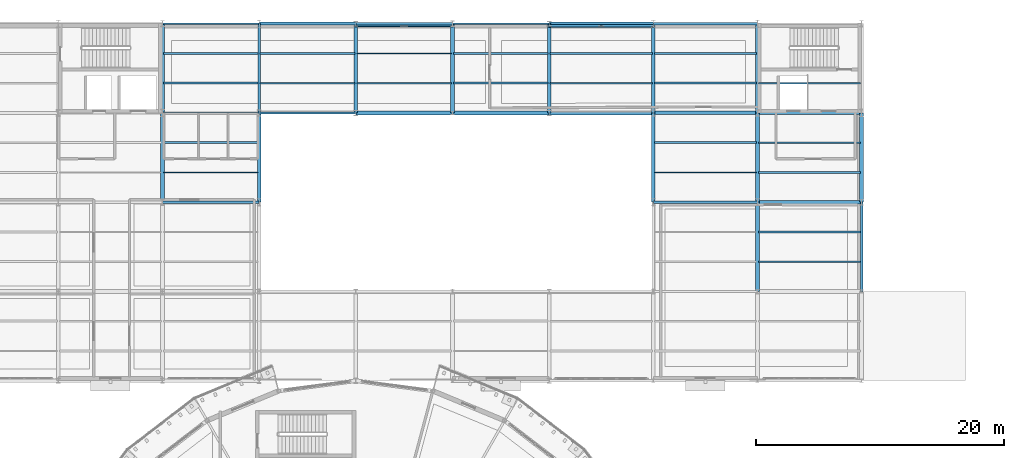
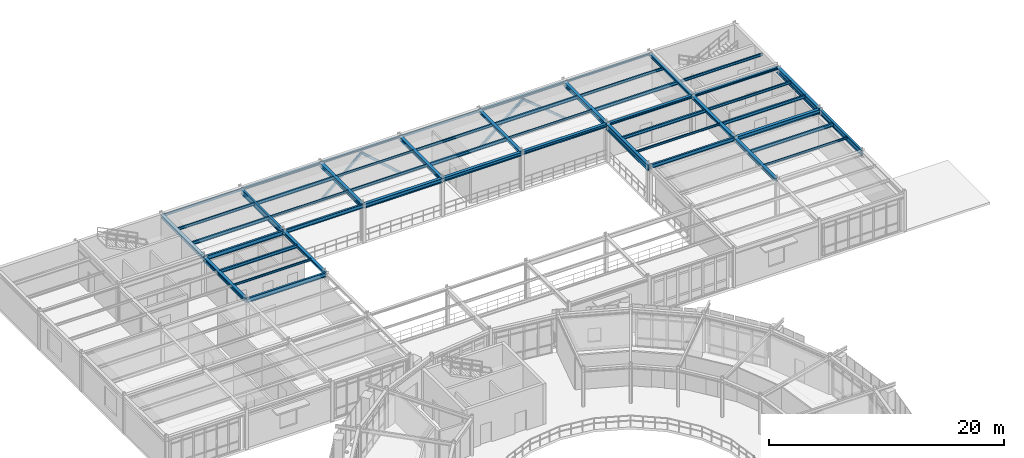
# One storey, part 55 of 90: 51 beams, 4 members.
"""IFC4 building model written with IfcOpenShell, lengths in metres."""

from ifc_helpers import new_model, si_unit, derived_unit, direction, frame, origin, origin_2d, place, context, subcontext, project, spatial, hollow_rectangle, i_section, extrude, material, material_profile, profile_set, type_object, element, save


model = new_model("IFC4")

# Units and contexts
model_context = context("Model", 3, precision=1e-05, world=origin(), true_north=direction((0.0, 1.0)))
body_context = subcontext(model_context, "Body", "Model", "MODEL_VIEW")
ifc_project = project(units=[si_unit("LENGTHUNIT", "METRE"), si_unit("AREAUNIT", "SQUARE_METRE"), si_unit("VOLUMEUNIT", "CUBIC_METRE"), si_unit("PLANEANGLEUNIT", "RADIAN"), si_unit("MASSUNIT", "GRAM", prefix="KILO"), derived_unit("THERMALTRANSMITTANCEUNIT", [(si_unit("POWERUNIT", "WATT"), 1), (si_unit("AREAUNIT", "SQUARE_METRE"), -1), (si_unit("THERMODYNAMICTEMPERATUREUNIT", "KELVIN"), -1)])], contexts=[model_context])

# Site, building, storey
site_placement = place(None, origin())
site = spatial("IfcSite", under=ifc_project, at=site_placement, CompositionType="ELEMENT")
building_placement = place(site_placement, origin())
building = spatial("IfcBuilding", under=site, at=building_placement, Name="Yasenodar Specialist Clinic", CompositionType="ELEMENT")
storey_placement = place(building_placement, frame((0.0, 0.0, 9.0)))
storey = spatial("IfcBuildingStorey", under=building, at=storey_placement, Name="L02", CompositionType="ELEMENT", Elevation=9.0)

# Beams
ifc_material = material(Name="Steel S355", Category="steel")
ifc_material_profile_1 = material_profile(ifc_material, i_section(OverallWidth=0.260009765625, OverallDepth=0.25, WebThickness=0.007568359375, FlangeThickness=0.012451171875, FilletRadius=0.02392578125, at=origin_2d()), Name="HEA 260")
ifc_profile_set_1 = profile_set([ifc_material_profile_1], Name="Steel S355")
beam_type_1 = type_object("IfcBeamType", Name="BM-HEA260", PredefinedType="BEAM", material=ifc_profile_set_1)
beam_1_placement = place(storey_placement, frame((113.39990234375, 104.39990234375, 3.824951171875), z_axis=(1.0, 0.0, 0.0), x_axis=(0.0, 1.0, 0.0)))
element("IfcBeam", 1, at=beam_1_placement, inside=storey, type_object=beam_type_1, Name="L02 Primary E-W Girder", PredefinedType="BEAM", context=body_context, shape_type="SweptSolid", body=[
    extrude(i_section(OverallWidth=0.260009765625, OverallDepth=0.25, WebThickness=0.007568359375, FlangeThickness=0.012451171875, FilletRadius=0.02392578125, at=origin_2d()), origin(), (0.0, 0.0, 1.0), 8.400146484375),
])
ifc_material_profile_2 = material_profile(ifc_material, i_section(OverallWidth=0.280029296875, OverallDepth=0.27001953125, WebThickness=0.008056640625, FlangeThickness=0.012939453125, FilletRadius=0.02392578125, at=origin_2d()), Name="HEA 280")
ifc_profile_set_2 = profile_set([ifc_material_profile_2], Name="Steel S355")
beam_type_2 = type_object("IfcBeamType", Name="BM-HEA280", PredefinedType="BEAM", material=ifc_profile_set_2)
beam_2_placement = place(storey_placement, frame((105.0, 104.39990234375, 3.81494140625), z_axis=(1.0, 0.0, 0.0), x_axis=(0.0, 1.0, 0.0)))
element("IfcBeam", 2, at=beam_2_placement, inside=storey, type_object=beam_type_2, Name="L02 Primary E-W Girder", PredefinedType="BEAM", context=body_context, shape_type="SweptSolid", body=[
    extrude(i_section(OverallWidth=0.280029296875, OverallDepth=0.27001953125, WebThickness=0.008056640625, FlangeThickness=0.012939453125, FilletRadius=0.02392578125, at=origin_2d()), origin(), (0.0, 0.0, 1.0), 8.39990234375),
])
ifc_material_profile_3 = material_profile(ifc_material, i_section(OverallWidth=0.300048828125, OverallDepth=0.2900390625, WebThickness=0.008544921875, FlangeThickness=0.013916015625, FilletRadius=0.027099609375, at=origin_2d()), Name="HEA 300")
ifc_profile_set_3 = profile_set([ifc_material_profile_3], Name="Steel S355")
beam_type_3 = type_object("IfcBeamType", Name="BM-HEA300", PredefinedType="BEAM", material=ifc_profile_set_3)
beam_3_placement = place(storey_placement, frame((73.199951171875, 97.199951171875, 3.804931640625), z_axis=(0.0, 1.0, 0.0), x_axis=(-1.0, 0.0, 0.0)))
element("IfcBeam", 3, at=beam_3_placement, inside=storey, type_object=beam_type_3, Name="L02 Primary N-S Girder", PredefinedType="BEAM", context=body_context, shape_type="SweptSolid", body=[
    extrude(i_section(OverallWidth=0.300048828125, OverallDepth=0.2900390625, WebThickness=0.008544921875, FlangeThickness=0.013916015625, FilletRadius=0.027099609375, at=origin_2d()), origin(), (0.0, 0.0, 1.0), 7.199951171875),
])
ifc_material_profile_4 = material_profile(ifc_material, i_section(OverallWidth=0.300048828125, OverallDepth=0.330078125, WebThickness=0.009521484375, FlangeThickness=0.0166015625, FilletRadius=0.027099609375, at=origin_2d()), Name="HEA 340")
ifc_profile_set_4 = profile_set([ifc_material_profile_4], Name="Steel S355")
beam_type_4 = type_object("IfcBeamType", Name="BM-HEA340", PredefinedType="BEAM", material=ifc_profile_set_4)
beam_4_placement = place(storey_placement, frame((96.60009765625, 104.39990234375, 3.784912109375), z_axis=(1.0, 0.0, 0.0), x_axis=(0.0, 1.0, 0.0)))
element("IfcBeam", 4, at=beam_4_placement, inside=storey, type_object=beam_type_4, Name="L02 Primary E-W Girder", PredefinedType="BEAM", context=body_context, shape_type="SweptSolid", body=[
    extrude(i_section(OverallWidth=0.300048828125, OverallDepth=0.330078125, WebThickness=0.009521484375, FlangeThickness=0.0166015625, FilletRadius=0.027099609375, at=origin_2d()), origin(), (0.0, 0.0, 1.0), 8.39990234375),
])
ifc_material_profile_5 = material_profile(ifc_material, i_section(OverallWidth=0.300048828125, OverallDepth=0.389892578125, WebThickness=0.010986328125, FlangeThickness=0.01904296875, FilletRadius=0.027099609375, at=origin_2d()), Name="HEA 400")
ifc_profile_set_5 = profile_set([ifc_material_profile_5], Name="Steel S355")
beam_type_5 = type_object("IfcBeamType", Name="BM-HEA400", PredefinedType="BEAM", material=ifc_profile_set_5)
beam_5_placement = place(storey_placement, frame((88.800048828125, 104.39990234375, 3.7548828125), z_axis=(1.0, 0.0, 0.0), x_axis=(0.0, 1.0, 0.0)))
element("IfcBeam", 5, at=beam_5_placement, inside=storey, type_object=beam_type_5, Name="L02 Primary E-W Girder", PredefinedType="BEAM", context=body_context, shape_type="SweptSolid", body=[
    extrude(i_section(OverallWidth=0.300048828125, OverallDepth=0.389892578125, WebThickness=0.010986328125, FlangeThickness=0.01904296875, FilletRadius=0.027099609375, at=origin_2d()), origin(), (0.0, 0.0, 1.0), 7.800048828125),
])
ifc_material_profile_6 = material_profile(ifc_material, i_section(OverallWidth=0.300048828125, OverallDepth=0.43994140625, WebThickness=0.011474609375, FlangeThickness=0.02099609375, FilletRadius=0.027099609375, at=origin_2d()), Name="HEA 450")
ifc_profile_set_6 = profile_set([ifc_material_profile_6], Name="Steel S355")
beam_type_6 = type_object("IfcBeamType", Name="BM-HEA450", PredefinedType="BEAM", material=ifc_profile_set_6)
beam_6_placement = place(storey_placement, frame((113.39990234375, 97.199951171875, 3.72998046875), z_axis=(1.0, 0.0, 0.0), x_axis=(0.0, 1.0, 0.0)))
element("IfcBeam", 6, at=beam_6_placement, inside=storey, type_object=beam_type_6, Name="L02 Primary E-W Girder", PredefinedType="BEAM", context=body_context, shape_type="SweptSolid", body=[
    extrude(i_section(OverallWidth=0.300048828125, OverallDepth=0.43994140625, WebThickness=0.011474609375, FlangeThickness=0.02099609375, FilletRadius=0.027099609375, at=origin_2d()), origin(), (0.0, 0.0, 1.0), 8.400146484375),
])
beam_7_placement = place(storey_placement, frame((81.0, 104.39990234375, 3.72998046875), z_axis=(1.0, 0.0, 0.0), x_axis=(0.0, 1.0, 0.0)))
element("IfcBeam", 7, at=beam_7_placement, inside=storey, type_object=beam_type_6, Name="L02 Primary E-W Girder", PredefinedType="BEAM", context=body_context, shape_type="SweptSolid", body=[
    extrude(i_section(OverallWidth=0.300048828125, OverallDepth=0.43994140625, WebThickness=0.011474609375, FlangeThickness=0.02099609375, FilletRadius=0.027099609375, at=origin_2d()), origin(), (0.0, 0.0, 1.0), 7.800048828125),
])
ifc_material_profile_7 = material_profile(ifc_material, i_section(OverallWidth=0.280029296875, OverallDepth=0.280029296875, WebThickness=0.010498046875, FlangeThickness=0.01806640625, FilletRadius=0.02392578125, at=origin_2d()), Name="HEB 280")
ifc_profile_set_7 = profile_set([ifc_material_profile_7], Name="Steel S355")
beam_type_7 = type_object("IfcBeamType", Name="BM-HEB280", PredefinedType="BEAM", material=ifc_profile_set_7)
for number, where, z_axis, x_axis, name in (
    (8, (96.60009765625, 104.39990234375, 3.81005859375), (0.0, 1.0, 0.0), (-1.0, 0.0, 0.0), "L02 Primary N-S Girder"),
    (9, (113.39990234375, 104.39990234375, 3.81005859375), (0.0, 1.0, 0.0), (-1.0, 0.0, 0.0), "L02 Primary N-S Girder"),
):
    element("IfcBeam", number, at=place(storey_placement, frame(where, z_axis=z_axis, x_axis=x_axis)), inside=storey, type_object=beam_type_7, Name=name, PredefinedType="BEAM", context=body_context, shape_type="SweptSolid", body=[
        extrude(i_section(OverallWidth=0.280029296875, OverallDepth=0.280029296875, WebThickness=0.010498046875, FlangeThickness=0.01806640625, FilletRadius=0.02392578125, at=origin_2d()), origin(), (0.0, 0.0, 1.0), 7.2001953125),
    ])
ifc_material_profile_8 = material_profile(ifc_material, i_section(OverallWidth=0.300048828125, OverallDepth=0.300048828125, WebThickness=0.010986328125, FlangeThickness=0.01904296875, FilletRadius=0.027099609375, at=origin_2d()), Name="HEB 300")
ifc_profile_set_8 = profile_set([ifc_material_profile_8], Name="Steel S355")
beam_type_8 = type_object("IfcBeamType", Name="BM-HEB300", PredefinedType="BEAM", material=ifc_profile_set_8)
beam_8_placement = place(storey_placement, frame((113.39990234375, 97.199951171875, 3.800048828125), z_axis=(0.0, 1.0, 0.0), x_axis=(-1.0, 0.0, 0.0)))
element("IfcBeam", 10, at=beam_8_placement, inside=storey, type_object=beam_type_8, Name="L02 Primary N-S Girder", PredefinedType="BEAM", context=body_context, shape_type="SweptSolid", body=[
    extrude(i_section(OverallWidth=0.300048828125, OverallDepth=0.300048828125, WebThickness=0.010986328125, FlangeThickness=0.01904296875, FilletRadius=0.027099609375, at=origin_2d()), origin(), (0.0, 0.0, 1.0), 7.199951171875),
])
ifc_material_profile_9 = material_profile(ifc_material, i_section(OverallWidth=0.300048828125, OverallDepth=0.340087890625, WebThickness=0.011962890625, FlangeThickness=0.021484375, FilletRadius=0.027099609375, at=origin_2d()), Name="HEB 340")
ifc_profile_set_9 = profile_set([ifc_material_profile_9], Name="Steel S355")
beam_type_9 = type_object("IfcBeamType", Name="BM-HEB340", PredefinedType="BEAM", material=ifc_profile_set_9)
for number, where, z_axis, x_axis, name in (
    (11, (65.39990234375, 104.39990234375, 3.780029296875), (0.0, 1.0, 0.0), (-1.0, 0.0, 0.0), "L02 Primary N-S Girder"),
    (12, (88.800048828125, 104.39990234375, 3.780029296875), (0.0, 1.0, 0.0), (-1.0, 0.0, 0.0), "L02 Primary N-S Girder"),
):
    element("IfcBeam", number, at=place(storey_placement, frame(where, z_axis=z_axis, x_axis=x_axis)), inside=storey, type_object=beam_type_9, Name=name, PredefinedType="BEAM", context=body_context, shape_type="SweptSolid", body=[
        extrude(i_section(OverallWidth=0.300048828125, OverallDepth=0.340087890625, WebThickness=0.011962890625, FlangeThickness=0.021484375, FilletRadius=0.027099609375, at=origin_2d()), origin(), (0.0, 0.0, 1.0), 7.2001953125),
    ])
beam_9_placement = place(storey_placement, frame((113.39990234375, 90.0, 3.780029296875), z_axis=(0.0, 1.0, 0.0), x_axis=(-1.0, 0.0, 0.0)))
element("IfcBeam", 13, at=beam_9_placement, inside=storey, type_object=beam_type_9, Name="L02 Primary N-S Girder", PredefinedType="BEAM", context=body_context, shape_type="SweptSolid", body=[
    extrude(i_section(OverallWidth=0.300048828125, OverallDepth=0.340087890625, WebThickness=0.011962890625, FlangeThickness=0.021484375, FilletRadius=0.027099609375, at=origin_2d()), origin(), (0.0, 0.0, 1.0), 7.199951171875),
])
ifc_material_profile_10 = material_profile(ifc_material, i_section(OverallWidth=0.300048828125, OverallDepth=0.39990234375, WebThickness=0.013427734375, FlangeThickness=0.02392578125, FilletRadius=0.027099609375, at=origin_2d()), Name="HEB 400")
ifc_profile_set_10 = profile_set([ifc_material_profile_10], Name="Steel S355")
beam_type_10 = type_object("IfcBeamType", Name="BM-HEB400", PredefinedType="BEAM", material=ifc_profile_set_10)
beam_10_placement = place(storey_placement, frame((65.39990234375, 97.199951171875, 3.75), z_axis=(0.0, 1.0, 0.0), x_axis=(-1.0, 0.0, 0.0)))
element("IfcBeam", 14, at=beam_10_placement, inside=storey, type_object=beam_type_10, Name="L02 Primary N-S Girder", PredefinedType="BEAM", context=body_context, shape_type="SweptSolid", body=[
    extrude(i_section(OverallWidth=0.300048828125, OverallDepth=0.39990234375, WebThickness=0.013427734375, FlangeThickness=0.02392578125, FilletRadius=0.027099609375, at=origin_2d()), origin(), (0.0, 0.0, 1.0), 7.199951171875),
])
ifc_material_profile_11 = material_profile(ifc_material, i_section(OverallWidth=0.300048828125, OverallDepth=0.449951171875, WebThickness=0.013916015625, FlangeThickness=0.02587890625, FilletRadius=0.027099609375, at=origin_2d()), Name="HEB 450")
ifc_profile_set_11 = profile_set([ifc_material_profile_11], Name="Steel S355")
beam_type_11 = type_object("IfcBeamType", Name="BM-HEB450", PredefinedType="BEAM", material=ifc_profile_set_11)
for number, where, z_axis, x_axis, name in (
    (15, (81.0, 104.39990234375, 3.72509765625), (0.0, 1.0, 0.0), (-1.0, 0.0, 0.0), "L02 Primary N-S Girder"),
    (16, (105.0, 104.39990234375, 3.72509765625), (0.0, 1.0, 0.0), (-1.0, 0.0, 0.0), "L02 Primary N-S Girder"),
):
    element("IfcBeam", number, at=place(storey_placement, frame(where, z_axis=z_axis, x_axis=x_axis)), inside=storey, type_object=beam_type_11, Name=name, PredefinedType="BEAM", context=body_context, shape_type="SweptSolid", body=[
        extrude(i_section(OverallWidth=0.300048828125, OverallDepth=0.449951171875, WebThickness=0.013916015625, FlangeThickness=0.02587890625, FilletRadius=0.027099609375, at=origin_2d()), origin(), (0.0, 0.0, 1.0), 7.2001953125),
    ])
ifc_material_profile_12 = material_profile(ifc_material, i_section(OverallWidth=0.300048828125, OverallDepth=0.60009765625, WebThickness=0.015380859375, FlangeThickness=0.030029296875, FilletRadius=0.027099609375, at=origin_2d()), Name="HEB 600")
ifc_profile_set_12 = profile_set([ifc_material_profile_12], Name="Steel S355")
beam_type_12 = type_object("IfcBeamType", Name="BM-HEB600", PredefinedType="BEAM", material=ifc_profile_set_12)
for number, where, z_axis, x_axis, name in (
    (17, (105.0, 97.199951171875, 3.64990234375), (0.0, 1.0, 0.0), (-1.0, 0.0, 0.0), "L02 Primary N-S Girder"),
    (18, (121.800048828125, 97.199951171875, 3.64990234375), (0.0, 1.0, 0.0), (-1.0, 0.0, 0.0), "L02 Primary N-S Girder"),
):
    element("IfcBeam", number, at=place(storey_placement, frame(where, z_axis=z_axis, x_axis=x_axis)), inside=storey, type_object=beam_type_12, Name=name, PredefinedType="BEAM", context=body_context, shape_type="SweptSolid", body=[
        extrude(i_section(OverallWidth=0.300048828125, OverallDepth=0.60009765625, WebThickness=0.015380859375, FlangeThickness=0.030029296875, FilletRadius=0.027099609375, at=origin_2d()), origin(), (0.0, 0.0, 1.0), 7.199951171875),
    ])
ifc_material_profile_13 = material_profile(ifc_material, i_section(OverallWidth=0.179931640625, OverallDepth=0.39990234375, WebThickness=0.008544921875, FlangeThickness=0.013427734375, FilletRadius=0.02099609375, at=origin_2d()), Name="IPE 400")
ifc_profile_set_13 = profile_set([ifc_material_profile_13], Name="Steel S355")
beam_type_13 = type_object("IfcBeamType", Name="BM-IPE400", PredefinedType="BEAM", material=ifc_profile_set_13)
beam_11_placement = place(storey_placement, frame((105.0, 97.199951171875, 3.75), z_axis=(1.0, 0.0, 0.0), x_axis=(0.0, 1.0, 0.0)))
element("IfcBeam", 19, at=beam_11_placement, inside=storey, type_object=beam_type_13, Name="L02 Primary E-W Girder", PredefinedType="BEAM", context=body_context, shape_type="SweptSolid", body=[
    extrude(i_section(OverallWidth=0.179931640625, OverallDepth=0.39990234375, WebThickness=0.008544921875, FlangeThickness=0.013427734375, FilletRadius=0.02099609375, at=origin_2d()), origin(), (0.0, 0.0, 1.0), 8.39990234375),
])
beam_12_placement = place(storey_placement, frame((73.199951171875, 104.39990234375, 3.75), z_axis=(1.0, 0.0, 0.0), x_axis=(0.0, 1.0, 0.0)))
element("IfcBeam", 20, at=beam_12_placement, inside=storey, type_object=beam_type_13, Name="L02 Primary E-W Girder", PredefinedType="BEAM", context=body_context, shape_type="SweptSolid", body=[
    extrude(i_section(OverallWidth=0.179931640625, OverallDepth=0.39990234375, WebThickness=0.008544921875, FlangeThickness=0.013427734375, FilletRadius=0.02099609375, at=origin_2d()), origin(), (0.0, 0.0, 1.0), 7.800048828125),
])
ifc_material_profile_14 = material_profile(ifc_material, i_section(OverallWidth=0.18994140625, OverallDepth=0.449951171875, WebThickness=0.009521484375, FlangeThickness=0.0146484375, FilletRadius=0.02099609375, at=origin_2d()), Name="IPE 450")
ifc_profile_set_14 = profile_set([ifc_material_profile_14], Name="Steel S355")
beam_type_14 = type_object("IfcBeamType", Name="BM-IPE450", PredefinedType="BEAM", material=ifc_profile_set_14)
for number, where, z_axis, x_axis, name in (
    (21, (65.39990234375, 97.199951171875, 3.72509765625), (1.0, 0.0, 0.0), (0.0, 1.0, 0.0), "L02 Primary E-W Girder"),
    (22, (65.39990234375, 104.39990234375, 3.72509765625), (1.0, 0.0, 0.0), (0.0, 1.0, 0.0), "L02 Primary E-W Girder"),
):
    element("IfcBeam", number, at=place(storey_placement, frame(where, z_axis=z_axis, x_axis=x_axis)), inside=storey, type_object=beam_type_14, Name=name, PredefinedType="BEAM", context=body_context, shape_type="SweptSolid", body=[
        extrude(i_section(OverallWidth=0.18994140625, OverallDepth=0.449951171875, WebThickness=0.009521484375, FlangeThickness=0.0146484375, FilletRadius=0.02099609375, at=origin_2d()), origin(), (0.0, 0.0, 1.0), 7.800048828125),
    ])
ifc_material_profile_15 = material_profile(ifc_material, i_section(OverallWidth=0.2099609375, OverallDepth=0.550048828125, WebThickness=0.010986328125, FlangeThickness=0.01708984375, FilletRadius=0.02392578125, at=origin_2d()), Name="IPE 550")
ifc_profile_set_15 = profile_set([ifc_material_profile_15], Name="Steel S355")
beam_type_15 = type_object("IfcBeamType", Name="BM-IPE550", PredefinedType="BEAM", material=ifc_profile_set_15)
beam_13_placement = place(storey_placement, frame((73.199951171875, 104.39990234375, 3.675048828125), z_axis=(0.0, 1.0, 0.0), x_axis=(-1.0, 0.0, 0.0)))
element("IfcBeam", 23, at=beam_13_placement, inside=storey, type_object=beam_type_15, Name="L02 Primary N-S Girder", PredefinedType="BEAM", context=body_context, shape_type="SweptSolid", body=[
    extrude(i_section(OverallWidth=0.2099609375, OverallDepth=0.550048828125, WebThickness=0.010986328125, FlangeThickness=0.01708984375, FilletRadius=0.02392578125, at=origin_2d()), origin(), (0.0, 0.0, 1.0), 7.2001953125),
])
beam_14_placement = place(storey_placement, frame((121.800048828125, 90.0, 3.675048828125), z_axis=(0.0, 1.0, 0.0), x_axis=(-1.0, 0.0, 0.0)))
element("IfcBeam", 24, at=beam_14_placement, inside=storey, type_object=beam_type_15, Name="L02 Primary N-S Girder", PredefinedType="BEAM", context=body_context, shape_type="SweptSolid", body=[
    extrude(i_section(OverallWidth=0.2099609375, OverallDepth=0.550048828125, WebThickness=0.010986328125, FlangeThickness=0.01708984375, FilletRadius=0.02392578125, at=origin_2d()), origin(), (0.0, 0.0, 1.0), 7.199951171875),
])

# Members
ifc_material_profile_16 = material_profile(ifc_material, hollow_rectangle(XDim=0.14990234375, YDim=0.25, WallThickness=0.010009765625, InnerFilletRadius=0.014892578125, OuterFilletRadius=0.02490234375, at=origin_2d()), Name="RHS 250x150x10")
ifc_profile_set_16 = profile_set([ifc_material_profile_16], Name="Steel S355")
member_type_1 = type_object("IfcMemberType", Name="BR-LAT-RHS250", PredefinedType="BRACE", material=ifc_profile_set_16)
for number, where, z_axis, x_axis, name in (
    (25, (81.0, 111.425048828125, 0.14990234375), (0.744233969994, 0.0, 0.667919005499), (0.0, 1.0, 0.0), "L02 Lateral Chevron Brace 06A"),
    (26, (88.800048828125, 111.425048828125, 0.14990234375), (-0.744254753597, 0.0, 0.667895846483), (0.0, -1.0, 0.0), "L02 Lateral Chevron Brace 06B"),
):
    element("IfcMember", number, at=place(storey_placement, frame(where, z_axis=z_axis, x_axis=x_axis)), inside=storey, type_object=member_type_1, Name=name, PredefinedType="BRACE", context=body_context, shape_type="SweptSolid", body=[
        extrude(hollow_rectangle(XDim=0.14990234375, YDim=0.25, WallThickness=0.010009765625, InnerFilletRadius=0.014892578125, OuterFilletRadius=0.02490234375, at=origin_2d()), origin(), (0.0, 0.0, 1.0), 5.240234375),
    ])
ifc_material_profile_17 = material_profile(ifc_material, hollow_rectangle(XDim=0.219970703125, YDim=0.219970703125, WallThickness=0.012451171875, InnerFilletRadius=0.018798828125, OuterFilletRadius=0.03125, at=origin_2d()), Name="SHS 220x220x12.5")
ifc_profile_set_17 = profile_set([ifc_material_profile_17], Name="Steel S355")
member_type_2 = type_object("IfcMemberType", Name="BR-LAT-SHS220", PredefinedType="BRACE", material=ifc_profile_set_17)
for number, where, z_axis, x_axis, name in (
    (27, (96.60009765625, 111.425048828125, 0.14990234375), (0.768217619255, 0.0, 0.64018879205), (0.0, 1.0, 0.0), "L02 Lateral Chevron Brace 13A"),
    (28, (105.0, 111.425048828125, 0.14990234375), (-0.768217619255, 0.0, 0.64018879205), (0.0, -1.0, 0.0), "L02 Lateral Chevron Brace 13B"),
):
    element("IfcMember", number, at=place(storey_placement, frame(where, z_axis=z_axis, x_axis=x_axis)), inside=storey, type_object=member_type_2, Name=name, PredefinedType="BRACE", context=body_context, shape_type="SweptSolid", body=[
        extrude(hollow_rectangle(XDim=0.219970703125, YDim=0.219970703125, WallThickness=0.012451171875, InnerFilletRadius=0.018798828125, OuterFilletRadius=0.03125, at=origin_2d()), origin(), (0.0, 0.0, 1.0), 5.467041015625),
    ])

# Beams
ifc_material_profile_18 = material_profile(ifc_material, i_section(OverallWidth=0.110107421875, OverallDepth=0.219970703125, WebThickness=0.005859375, FlangeThickness=0.00927734375, FilletRadius=0.011962890625, at=origin_2d()), Name="IPE 220")
ifc_profile_set_18 = profile_set([ifc_material_profile_18], Name="Steel S355")
beam_type_16 = type_object("IfcBeamType", Name="JS-IPE220", PredefinedType="JOIST", material=ifc_profile_set_18)
beam_15_placement = place(storey_placement, frame((65.47998046875, 99.60009765625, 3.840087890625), z_axis=(1.0, 0.0, 0.0), x_axis=(0.0, 1.0, 0.0)))
element("IfcBeam", 29, at=beam_15_placement, inside=storey, type_object=beam_type_16, Name="L02 Composite Floor Joist", PredefinedType="JOIST", context=body_context, shape_type="SweptSolid", body=[
    extrude(i_section(OverallWidth=0.110107421875, OverallDepth=0.219970703125, WebThickness=0.005859375, FlangeThickness=0.00927734375, FilletRadius=0.011962890625, at=origin_2d()), origin(), (0.0, 0.0, 1.0), 7.64013671875),
])
for number, where, z_axis, x_axis, name in (
    (30, (73.280029296875, 106.800048828125, 3.840087890625), (1.0, 0.0, 0.0), (0.0, 1.0, 0.0), "L02 Composite Floor Joist"),
    (31, (81.080078125, 109.199951171875, 3.840087890625), (1.0, 0.0, 0.0), (0.0, 1.0, 0.0), "L02 Composite Floor Joist"),
):
    element("IfcBeam", number, at=place(storey_placement, frame(where, z_axis=z_axis, x_axis=x_axis)), inside=storey, type_object=beam_type_16, Name=name, PredefinedType="JOIST", context=body_context, shape_type="SweptSolid", body=[
        extrude(i_section(OverallWidth=0.110107421875, OverallDepth=0.219970703125, WebThickness=0.005859375, FlangeThickness=0.00927734375, FilletRadius=0.011962890625, at=origin_2d()), origin(), (0.0, 0.0, 1.0), 7.639892578125),
    ])
for number, where, z_axis, x_axis, name in (
    (32, (96.679931640625, 106.800048828125, 3.840087890625), (1.0, 0.0, 0.0), (0.0, 1.0, 0.0), "L02 Composite Floor Joist"),
    (33, (105.080078125, 99.60009765625, 3.840087890625), (1.0, 0.0, 0.0), (0.0, 1.0, 0.0), "L02 Composite Floor Joist"),
    (34, (113.47998046875, 92.39990234375, 3.840087890625), (1.0, 0.0, 0.0), (0.0, 1.0, 0.0), "L02 Composite Floor Joist"),
):
    element("IfcBeam", number, at=place(storey_placement, frame(where, z_axis=z_axis, x_axis=x_axis)), inside=storey, type_object=beam_type_16, Name=name, PredefinedType="JOIST", context=body_context, shape_type="SweptSolid", body=[
        extrude(i_section(OverallWidth=0.110107421875, OverallDepth=0.219970703125, WebThickness=0.005859375, FlangeThickness=0.00927734375, FilletRadius=0.011962890625, at=origin_2d()), origin(), (0.0, 0.0, 1.0), 8.239990234375),
    ])
ifc_material_profile_19 = material_profile(ifc_material, i_section(OverallWidth=0.135009765625, OverallDepth=0.27001953125, WebThickness=0.006591796875, FlangeThickness=0.01025390625, FilletRadius=0.014892578125, at=origin_2d()), Name="IPE 270")
ifc_profile_set_19 = profile_set([ifc_material_profile_19], Name="Steel S355")
beam_type_17 = type_object("IfcBeamType", Name="JS-IPE270", PredefinedType="JOIST", material=ifc_profile_set_19)
beam_16_placement = place(storey_placement, frame((65.47998046875, 109.199951171875, 3.81494140625), z_axis=(1.0, 0.0, 0.0), x_axis=(0.0, 1.0, 0.0)))
element("IfcBeam", 35, at=beam_16_placement, inside=storey, type_object=beam_type_17, Name="L02 Composite Floor Joist", PredefinedType="JOIST", context=body_context, shape_type="SweptSolid", body=[
    extrude(i_section(OverallWidth=0.135009765625, OverallDepth=0.27001953125, WebThickness=0.006591796875, FlangeThickness=0.01025390625, FilletRadius=0.014892578125, at=origin_2d()), origin(), (0.0, 0.0, 1.0), 7.64013671875),
])
beam_17_placement = place(storey_placement, frame((81.080078125, 106.800048828125, 3.81494140625), z_axis=(1.0, 0.0, 0.0), x_axis=(0.0, 1.0, 0.0)))
element("IfcBeam", 36, at=beam_17_placement, inside=storey, type_object=beam_type_17, Name="L02 Composite Floor Joist", PredefinedType="JOIST", context=body_context, shape_type="SweptSolid", body=[
    extrude(i_section(OverallWidth=0.135009765625, OverallDepth=0.27001953125, WebThickness=0.006591796875, FlangeThickness=0.01025390625, FilletRadius=0.014892578125, at=origin_2d()), origin(), (0.0, 0.0, 1.0), 7.639892578125),
])
beam_18_placement = place(storey_placement, frame((88.8798828125, 109.199951171875, 3.81494140625), z_axis=(1.0, 0.0, 0.0), x_axis=(0.0, 1.0, 0.0)))
element("IfcBeam", 37, at=beam_18_placement, inside=storey, type_object=beam_type_17, Name="L02 Composite Floor Joist", PredefinedType="JOIST", context=body_context, shape_type="SweptSolid", body=[
    extrude(i_section(OverallWidth=0.135009765625, OverallDepth=0.27001953125, WebThickness=0.006591796875, FlangeThickness=0.01025390625, FilletRadius=0.014892578125, at=origin_2d()), origin(), (0.0, 0.0, 1.0), 7.64013671875),
])
for number, where, z_axis, x_axis, name in (
    (38, (105.080078125, 109.199951171875, 3.81494140625), (1.0, 0.0, 0.0), (0.0, 1.0, 0.0), "L02 Composite Floor Joist"),
    (39, (113.47998046875, 102.0, 3.81494140625), (1.0, 0.0, 0.0), (0.0, 1.0, 0.0), "L02 Composite Floor Joist"),
    (40, (113.47998046875, 106.800048828125, 3.81494140625), (1.0, 0.0, 0.0), (0.0, 1.0, 0.0), "L02 Composite Floor Joist"),
):
    element("IfcBeam", number, at=place(storey_placement, frame(where, z_axis=z_axis, x_axis=x_axis)), inside=storey, type_object=beam_type_17, Name=name, PredefinedType="JOIST", context=body_context, shape_type="SweptSolid", body=[
        extrude(i_section(OverallWidth=0.135009765625, OverallDepth=0.27001953125, WebThickness=0.006591796875, FlangeThickness=0.01025390625, FilletRadius=0.014892578125, at=origin_2d()), origin(), (0.0, 0.0, 1.0), 8.239990234375),
    ])
ifc_material_profile_20 = material_profile(ifc_material, i_section(OverallWidth=0.159912109375, OverallDepth=0.330078125, WebThickness=0.007568359375, FlangeThickness=0.011474609375, FilletRadius=0.01806640625, at=origin_2d()), Name="IPE 330")
ifc_profile_set_20 = profile_set([ifc_material_profile_20], Name="Steel S355")
beam_type_18 = type_object("IfcBeamType", Name="JS-IPE330", PredefinedType="JOIST", material=ifc_profile_set_20)
for number, where, z_axis, x_axis, name in (
    (41, (65.47998046875, 102.0, 3.784912109375), (1.0, 0.0, 0.0), (0.0, 1.0, 0.0), "L02 Composite Floor Joist"),
    (42, (65.47998046875, 106.800048828125, 3.784912109375), (1.0, 0.0, 0.0), (0.0, 1.0, 0.0), "L02 Composite Floor Joist"),
):
    element("IfcBeam", number, at=place(storey_placement, frame(where, z_axis=z_axis, x_axis=x_axis)), inside=storey, type_object=beam_type_18, Name=name, PredefinedType="JOIST", context=body_context, shape_type="SweptSolid", body=[
        extrude(i_section(OverallWidth=0.159912109375, OverallDepth=0.330078125, WebThickness=0.007568359375, FlangeThickness=0.011474609375, FilletRadius=0.01806640625, at=origin_2d()), origin(), (0.0, 0.0, 1.0), 7.64013671875),
    ])
beam_19_placement = place(storey_placement, frame((73.280029296875, 109.199951171875, 3.784912109375), z_axis=(1.0, 0.0, 0.0), x_axis=(0.0, 1.0, 0.0)))
element("IfcBeam", 43, at=beam_19_placement, inside=storey, type_object=beam_type_18, Name="L02 Composite Floor Joist", PredefinedType="JOIST", context=body_context, shape_type="SweptSolid", body=[
    extrude(i_section(OverallWidth=0.159912109375, OverallDepth=0.330078125, WebThickness=0.007568359375, FlangeThickness=0.011474609375, FilletRadius=0.01806640625, at=origin_2d()), origin(), (0.0, 0.0, 1.0), 7.639892578125),
])
beam_20_placement = place(storey_placement, frame((88.8798828125, 106.800048828125, 3.784912109375), z_axis=(1.0, 0.0, 0.0), x_axis=(0.0, 1.0, 0.0)))
element("IfcBeam", 44, at=beam_20_placement, inside=storey, type_object=beam_type_18, Name="L02 Composite Floor Joist", PredefinedType="JOIST", context=body_context, shape_type="SweptSolid", body=[
    extrude(i_section(OverallWidth=0.159912109375, OverallDepth=0.330078125, WebThickness=0.007568359375, FlangeThickness=0.011474609375, FilletRadius=0.01806640625, at=origin_2d()), origin(), (0.0, 0.0, 1.0), 7.64013671875),
])
for number, where, z_axis, x_axis, name in (
    (45, (96.679931640625, 109.199951171875, 3.784912109375), (1.0, 0.0, 0.0), (0.0, 1.0, 0.0), "L02 Composite Floor Joist"),
    (46, (105.080078125, 102.0, 3.784912109375), (1.0, 0.0, 0.0), (0.0, 1.0, 0.0), "L02 Composite Floor Joist"),
    (47, (105.080078125, 106.800048828125, 3.784912109375), (1.0, 0.0, 0.0), (0.0, 1.0, 0.0), "L02 Composite Floor Joist"),
    (48, (113.47998046875, 94.800048828125, 3.784912109375), (1.0, 0.0, 0.0), (0.0, 1.0, 0.0), "L02 Composite Floor Joist"),
    (49, (113.47998046875, 99.60009765625, 3.784912109375), (1.0, 0.0, 0.0), (0.0, 1.0, 0.0), "L02 Composite Floor Joist"),
):
    element("IfcBeam", number, at=place(storey_placement, frame(where, z_axis=z_axis, x_axis=x_axis)), inside=storey, type_object=beam_type_18, Name=name, PredefinedType="JOIST", context=body_context, shape_type="SweptSolid", body=[
        extrude(i_section(OverallWidth=0.159912109375, OverallDepth=0.330078125, WebThickness=0.007568359375, FlangeThickness=0.011474609375, FilletRadius=0.01806640625, at=origin_2d()), origin(), (0.0, 0.0, 1.0), 8.239990234375),
    ])
ifc_material_profile_21 = material_profile(ifc_material, i_section(OverallWidth=0.199951171875, OverallDepth=0.18994140625, WebThickness=0.006591796875, FlangeThickness=0.010009765625, FilletRadius=0.01806640625, at=origin_2d()), Name="HEA 200")
ifc_profile_set_21 = profile_set([ifc_material_profile_21], Name="Steel S355")
beam_type_19 = type_object("IfcBeamType", Name="SP-HEA200", PredefinedType="SPANDREL", material=ifc_profile_set_21)
beam_21_placement = place(storey_placement, frame((81.0, 111.60009765625, 3.85498046875), z_axis=(1.0, 0.0, 0.0), x_axis=(0.0, 1.0, 0.0)))
element("IfcBeam", 50, at=beam_21_placement, inside=storey, type_object=beam_type_19, Name="L02 Perimeter Spandrel Beam", PredefinedType="SPANDREL", context=body_context, shape_type="SweptSolid", body=[
    extrude(i_section(OverallWidth=0.199951171875, OverallDepth=0.18994140625, WebThickness=0.006591796875, FlangeThickness=0.010009765625, FilletRadius=0.01806640625, at=origin_2d()), origin(), (0.0, 0.0, 1.0), 7.800048828125),
])
beam_22_placement = place(storey_placement, frame((105.0, 111.60009765625, 3.85498046875), z_axis=(1.0, 0.0, 0.0), x_axis=(0.0, 1.0, 0.0)))
element("IfcBeam", 51, at=beam_22_placement, inside=storey, type_object=beam_type_19, Name="L02 Perimeter Spandrel Beam", PredefinedType="SPANDREL", context=body_context, shape_type="SweptSolid", body=[
    extrude(i_section(OverallWidth=0.199951171875, OverallDepth=0.18994140625, WebThickness=0.006591796875, FlangeThickness=0.010009765625, FilletRadius=0.01806640625, at=origin_2d()), origin(), (0.0, 0.0, 1.0), 8.39990234375),
])
ifc_material_profile_22 = material_profile(ifc_material, i_section(OverallWidth=0.239990234375, OverallDepth=0.22998046875, WebThickness=0.007568359375, FlangeThickness=0.011962890625, FilletRadius=0.02099609375, at=origin_2d()), Name="HEA 240")
ifc_profile_set_22 = profile_set([ifc_material_profile_22], Name="Steel S355")
beam_type_20 = type_object("IfcBeamType", Name="SP-HEA240", PredefinedType="SPANDREL", material=ifc_profile_set_22)
beam_23_placement = place(storey_placement, frame((73.199951171875, 111.60009765625, 3.8349609375), z_axis=(1.0, 0.0, 0.0), x_axis=(0.0, 1.0, 0.0)))
element("IfcBeam", 52, at=beam_23_placement, inside=storey, type_object=beam_type_20, Name="L02 Perimeter Spandrel Beam", PredefinedType="SPANDREL", context=body_context, shape_type="SweptSolid", body=[
    extrude(i_section(OverallWidth=0.239990234375, OverallDepth=0.22998046875, WebThickness=0.007568359375, FlangeThickness=0.011962890625, FilletRadius=0.02099609375, at=origin_2d()), origin(), (0.0, 0.0, 1.0), 7.800048828125),
])
beam_24_placement = place(storey_placement, frame((96.60009765625, 111.60009765625, 3.8349609375), z_axis=(1.0, 0.0, 0.0), x_axis=(0.0, 1.0, 0.0)))
element("IfcBeam", 53, at=beam_24_placement, inside=storey, type_object=beam_type_20, Name="L02 Perimeter Spandrel Beam", PredefinedType="SPANDREL", context=body_context, shape_type="SweptSolid", body=[
    extrude(i_section(OverallWidth=0.239990234375, OverallDepth=0.22998046875, WebThickness=0.007568359375, FlangeThickness=0.011962890625, FilletRadius=0.02099609375, at=origin_2d()), origin(), (0.0, 0.0, 1.0), 8.39990234375),
])
ifc_material_profile_23 = material_profile(ifc_material, hollow_rectangle(XDim=0.14990234375, YDim=0.25, WallThickness=0.010009765625, InnerFilletRadius=0.014892578125, OuterFilletRadius=0.02490234375, at=origin_2d()), Name="RHS 250x150x10")
ifc_profile_set_23 = profile_set([ifc_material_profile_23], Name="Steel S355")
beam_type_21 = type_object("IfcBeamType", Name="SP-RHS250", PredefinedType="SPANDREL", material=ifc_profile_set_23)
for number, where, z_axis, x_axis, name in (
    (54, (65.39990234375, 111.60009765625, 3.824951171875), (1.0, 0.0, 0.0), (0.0, 1.0, 0.0), "L02 Perimeter Spandrel Beam"),
    (55, (88.800048828125, 111.60009765625, 3.824951171875), (1.0, 0.0, 0.0), (0.0, 1.0, 0.0), "L02 Perimeter Spandrel Beam"),
):
    element("IfcBeam", number, at=place(storey_placement, frame(where, z_axis=z_axis, x_axis=x_axis)), inside=storey, type_object=beam_type_21, Name=name, PredefinedType="SPANDREL", context=body_context, shape_type="SweptSolid", body=[
        extrude(hollow_rectangle(XDim=0.14990234375, YDim=0.25, WallThickness=0.010009765625, InnerFilletRadius=0.014892578125, OuterFilletRadius=0.02490234375, at=origin_2d()), origin(), (0.0, 0.0, 1.0), 7.800048828125),
    ])

save(model, "model.ifc")
